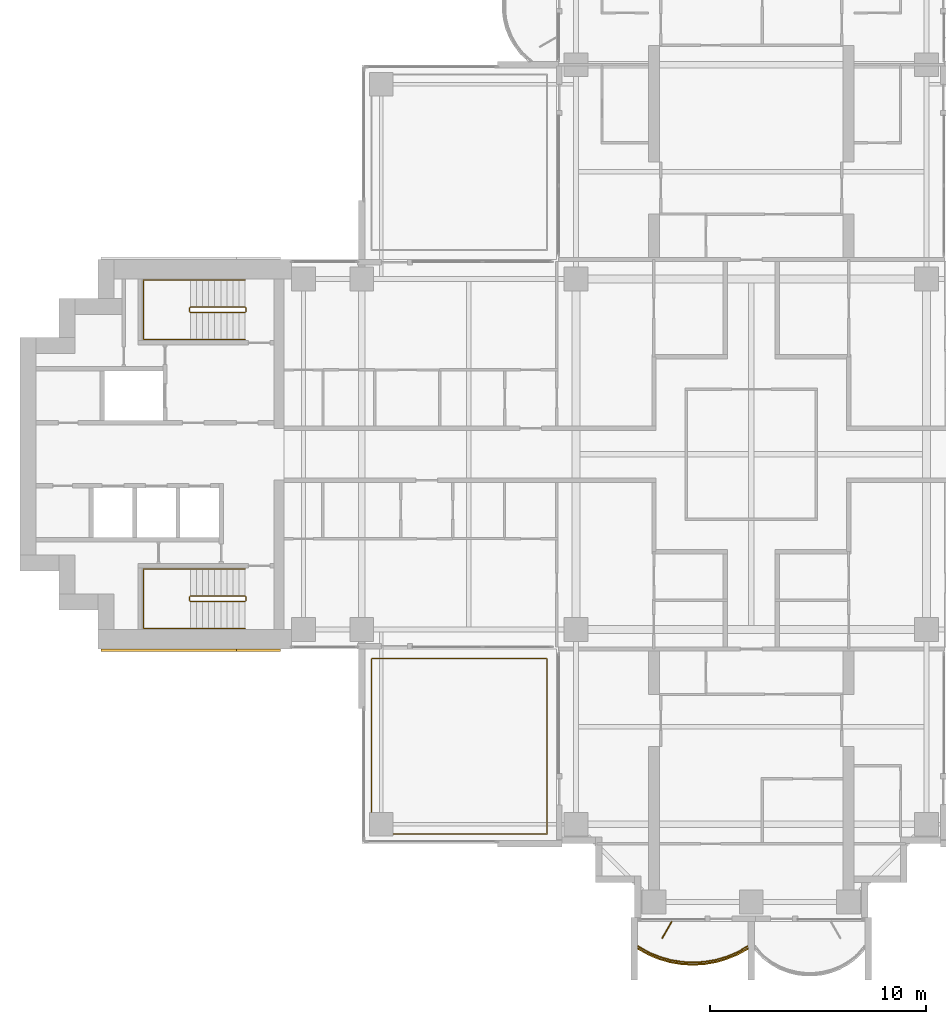
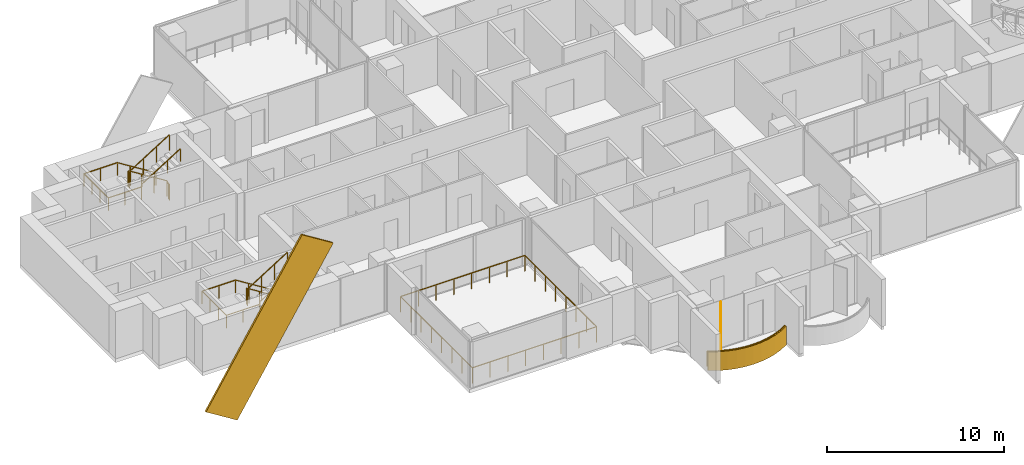
# One storey, part 16 of 19: 6 railings, 2 coverings, 1 shading device.
"""IFC4 building model written with IfcOpenShell, lengths in metres."""

import ifcopenshell
import ifcopenshell.guid

model = None  # the IFC model being written
_history = None  # IfcOwnerHistory: only IFC2X3 demands one
_inside = {}  # id of a spatial element -> (the spatial element, [elements in it])
_under = {}  # id of a project, library or spatial element -> (it, [spatial elements below it])
_declared = {}  # id of a project -> (the project, [libraries it declares])
_typed = {}  # id of a type object -> (the type object, [elements of that type])
_made_of = {}  # id of a material, layer set ... -> (it, [elements and type objects made of it])


def new_model(schema):
    """Start an empty IFC model of exactly this schema.

    Asked for "IFC4X3", IfcOpenShell would pick the latest addendum, in which some entities
    have other attributes; the version numbers below select the first issue.
    IFC2X3 requires an IfcOwnerHistory on every rooted entity: one is made here for all.
    """
    global model, _history
    if schema == "IFC4X3":
        model = ifcopenshell.file(schema_version=(4, 3, 0, 0))
    else:
        model = ifcopenshell.file(schema=schema)
    _inside.clear()
    _under.clear()
    _declared.clear()
    _typed.clear()
    _made_of.clear()
    _history = None
    if model.schema == "IFC2X3":
        org = make("IfcOrganization", Name="unknown")
        user = make(
            "IfcPersonAndOrganization",
            ThePerson=make("IfcPerson", FamilyName="unknown"),
            TheOrganization=org,
        )
        app = make(
            "IfcApplication",
            ApplicationDeveloper=org,
            Version="unknown",
            ApplicationFullName="unknown",
            ApplicationIdentifier="unknown",
        )
        _history = make(
            "IfcOwnerHistory",
            OwningUser=user,
            OwningApplication=app,
            ChangeAction="ADDED",
            CreationDate=0,
        )
    return model


def make(cls, **values):
    """One entity of the class cls with the attributes given. An attribute that is None is left unset."""
    return model.create_entity(
        cls, **{name: value for name, value in values.items() if value is not None}
    )


def rooted(cls, **values):
    """An entity with a GlobalId (a new one), such as an element, a storey or a relation."""
    return make(cls, GlobalId=ifcopenshell.guid.new(), OwnerHistory=_history, **values)


def si_unit(unit_type, name, prefix=None):
    """IfcSIUnit, for example si_unit("LENGTHUNIT", "METRE", prefix="MILLI")."""
    return make("IfcSIUnit", UnitType=unit_type, Prefix=prefix, Name=name)


def assignment(units):
    """IfcUnitAssignment: the units of a project."""
    return None if units is None else make("IfcUnitAssignment", Units=units)


def point(xyz):
    """IfcCartesianPoint."""
    return None if xyz is None else make("IfcCartesianPoint", Coordinates=xyz)


def direction(xyz):
    """IfcDirection."""
    return None if xyz is None else make("IfcDirection", DirectionRatios=xyz)


def frame(location, z_axis=None, x_axis=None):
    """IfcAxis2Placement3D, a coordinate frame: its origin and axes. An axis left out is left unset."""
    return make(
        "IfcAxis2Placement3D",
        Location=point(location),
        Axis=direction(z_axis),
        RefDirection=direction(x_axis),
    )


def frame_2d(location, x_axis=None):
    """IfcAxis2Placement2D, a coordinate frame in the plane: its origin and x axis."""
    return make(
        "IfcAxis2Placement2D", Location=point(location), RefDirection=direction(x_axis)
    )


def origin():
    """The frame at (0, 0, 0) with its axes left unset."""
    return frame((0.0, 0.0, 0.0))


def origin_2d():
    """The frame at (0, 0) in the plane with its x axis left unset."""
    return frame_2d((0.0, 0.0))


def place(relative_to, where):
    """IfcLocalPlacement: puts the frame where relative to a parent placement (None: the world)."""
    return make(
        "IfcLocalPlacement", PlacementRelTo=relative_to, RelativePlacement=where
    )


def context(
    kind, dimensions, precision=None, world=None, true_north=None, identifier=None
):
    """IfcGeometricRepresentationContext, for example the 3D "Model" context."""
    return make(
        "IfcGeometricRepresentationContext",
        ContextIdentifier=identifier,
        ContextType=kind,
        CoordinateSpaceDimension=dimensions,
        Precision=precision,
        WorldCoordinateSystem=world,
        TrueNorth=true_north,
    )


def subcontext(parent, identifier, kind, view, scale=None):
    """IfcGeometricRepresentationSubContext, for example "Body" below "Model"."""
    return make(
        "IfcGeometricRepresentationSubContext",
        ContextIdentifier=identifier,
        ContextType=kind,
        ParentContext=parent,
        TargetScale=scale,
        TargetView=view,
    )


def project(units=None, contexts=None):
    """IfcProject with its units and contexts."""
    return rooted(
        "IfcProject",
        Name="project",
        RepresentationContexts=contexts,
        UnitsInContext=assignment(units),
    )


def spatial(cls, under=None, at=None, **own):
    """A site, building, storey or space (cls), placed at a placement, below another one or the project."""
    s = rooted(cls, ObjectPlacement=at, **own)
    if under is not None:
        _under.setdefault(under.id(), (under, []))[1].append(s)
    return s


def polyline(points):
    """IfcPolyline through the points."""
    return make("IfcPolyline", Points=[point(p) for p in points])


def profile(cls, at=None, kind="AREA", **sizes):
    """A parametric profile (cls). Its sizes go by their IFC names, for example OverallWidth=200.0."""
    return make(cls, ProfileType=kind, Position=at, **sizes)


def rectangle(**sizes):
    """IfcRectangleProfileDef."""
    return profile("IfcRectangleProfileDef", **sizes)


def outline(outer, holes=None, kind="AREA"):
    """IfcArbitraryClosedProfileDef: a profile drawn as a closed curve; with holes, ...WithVoids."""
    if holes is None:
        return make("IfcArbitraryClosedProfileDef", ProfileType=kind, OuterCurve=outer)
    return make(
        "IfcArbitraryProfileDefWithVoids",
        ProfileType=kind,
        OuterCurve=outer,
        InnerCurves=holes,
    )


def extrude(swept, where, along, depth):
    """IfcExtrudedAreaSolid: the profile swept, set in the frame where, extruded along a direction by depth."""
    return make(
        "IfcExtrudedAreaSolid",
        SweptArea=swept,
        Position=where,
        ExtrudedDirection=direction(along),
        Depth=depth,
    )


def shape(context_of_items, identifier, shape_type, items):
    """IfcShapeRepresentation: the items that make up one representation, for example the "Body"."""
    return make(
        "IfcShapeRepresentation",
        ContextOfItems=context_of_items,
        RepresentationIdentifier=identifier,
        RepresentationType=shape_type,
        Items=items,
    )


def material(Name=None, Category=None):
    """IfcMaterial."""
    return make("IfcMaterial", Name=Name, Category=Category)


def layer(
    of_material, thickness, ventilated=None, Name=None, Category=None, Priority=None
):
    """IfcMaterialLayer: one layer of a wall or slab, of a material (None: an air gap)."""
    return make(
        "IfcMaterialLayer",
        Material=of_material,
        LayerThickness=thickness,
        IsVentilated=ventilated,
        Name=Name,
        Category=Category,
        Priority=Priority,
    )


def layer_set(layers, Name=None):
    """IfcMaterialLayerSet."""
    return make("IfcMaterialLayerSet", MaterialLayers=layers, LayerSetName=Name)


def material_profile(
    of_material, cross_section, Name=None, Category=None, Priority=None
):
    """IfcMaterialProfile: a cross section and its material."""
    return make(
        "IfcMaterialProfile",
        Name=Name,
        Material=of_material,
        Profile=cross_section,
        Priority=Priority,
        Category=Category,
    )


def profile_set(profiles, Name=None, composite=None):
    """IfcMaterialProfileSet."""
    return make(
        "IfcMaterialProfileSet",
        Name=Name,
        MaterialProfiles=profiles,
        CompositeProfile=composite,
    )


def made_of(thing, what):
    """Note that an element or type object is made of a material, layer set ...; save() writes the relation."""
    if what is not None:
        _made_of.setdefault(what.id(), (what, []))[1].append(thing)
    return thing


def type_object(cls, material=None, **own):
    """A type object (cls), such as IfcWallType, which elements share."""
    return made_of(rooted(cls, **own), material)


def element(
    cls,
    number,
    at=None,
    inside=None,
    cuts=None,
    type_object=None,
    material=None,
    context=None,
    identifier="Body",
    shape_type=None,
    held_by="IfcProductDefinitionShape",
    body=None,
    shapes=None,
    **own,
):
    """One element of the class cls, such as IfcWall. Its Tag is "e" and its number.

    at: its placement. inside: the storey or other place that contains it. cuts: it is an
    opening in that element (IfcRelVoidsElement). A single representation is given by context,
    identifier, shape_type and body (its items); several are given by shapes. held_by: the class
    of the entity that holds the representations. save() writes the other relations.
    """
    e = rooted(cls, Tag="e%d" % number, ObjectPlacement=at, **own)
    if body is not None:
        shapes = [shape(context, identifier, shape_type, body)]
    if shapes is not None:
        e.Representation = make(held_by, Representations=shapes)
    if inside is not None:
        _inside.setdefault(inside.id(), (inside, []))[1].append(e)
    if cuts is not None:
        rooted(
            "IfcRelVoidsElement", RelatingBuildingElement=cuts, RelatedOpeningElement=e
        )
    if type_object is not None:
        _typed.setdefault(type_object.id(), (type_object, []))[1].append(e)
    return made_of(e, material)


def aggregate(whole, parts):
    """IfcRelAggregates: a whole, such as a stair, and the parts it consists of."""
    return rooted("IfcRelAggregates", RelatingObject=whole, RelatedObjects=parts)


def save(model, path):
    """Write the relations noted so far, then the file.

    IfcRelAggregates (storeys below a building ...), IfcRelContainedInSpatialStructure (elements
    in a storey), IfcRelDefinesByType, IfcRelAssociatesMaterial and IfcRelDeclares: one each for
    every whole, place, type object, material and project.
    """
    for whole, parts in _under.values():
        aggregate(whole, parts)
    for where, things in _inside.values():
        rooted(
            "IfcRelContainedInSpatialStructure",
            RelatedElements=things,
            RelatingStructure=where,
        )
    for kind, things in _typed.values():
        rooted("IfcRelDefinesByType", RelatedObjects=things, RelatingType=kind)
    for what, things in _made_of.values():
        rooted("IfcRelAssociatesMaterial", RelatedObjects=things, RelatingMaterial=what)
    for by, libraries in _declared.values():
        rooted("IfcRelDeclares", RelatingContext=by, RelatedDefinitions=libraries)
    model.write(path)


model = new_model("IFC4")

# Units and contexts
model_context = context("Model", 3, precision=1e-05, world=origin(), true_north=direction((0.0, 1.0)))
body_context = subcontext(model_context, "Body", "Model", "MODEL_VIEW")
ifc_project = project(units=[si_unit("LENGTHUNIT", "METRE"), si_unit("AREAUNIT", "SQUARE_METRE"), si_unit("VOLUMEUNIT", "CUBIC_METRE"), si_unit("PLANEANGLEUNIT", "RADIAN"), si_unit("MASSUNIT", "GRAM", prefix="KILO")], contexts=[model_context])

# Site, building, storey
site_placement = place(None, origin())
site = spatial("IfcSite", under=ifc_project, at=site_placement, CompositionType="ELEMENT")
building_placement = place(site_placement, origin())
building = spatial("IfcBuilding", under=site, at=building_placement, Name="Perihelion Cross Residences", CompositionType="ELEMENT")
storey_placement = place(building_placement, frame((0.0, 0.0, 147.89990234375)))
storey = spatial("IfcBuildingStorey", under=building, at=storey_placement, Name="L36", CompositionType="ELEMENT", Elevation=147.89990234375)

# Covering
ifc_material_1 = material(Name="Bronze anodised aluminium", Category="aluminium")
ifc_layer_1 = layer(ifc_material_1, 0.070068359375)
ifc_layer_set_1 = layer_set([ifc_layer_1], Name="Balcony fascia 1300")
covering_type_1 = type_object("IfcCoveringType", Name="Balcony fascia 1300", PredefinedType="CLADDING", material=ifc_layer_set_1)
covering_1_placement = place(storey_placement, frame((0.0, 0.0, -0.199951171875)))
element("IfcCovering", 1, at=covering_1_placement, inside=storey, type_object=covering_type_1, Name="Fascia BF1 L36 south tip south bay 1", PredefinedType="CLADDING", context=body_context, shape_type="SweptSolid", body=[
    extrude(outline(polyline([(-4.7705078125, -23.1484375), (-4.2529296875, -23.36083984375), (-3.735107421875, -23.506591796875), (-3.217529296875, -23.591796875), (-2.699951171875, -23.6201171875), (-2.182373046875, -23.591796875), (-1.664794921875, -23.506591796875), (-1.147216796875, -23.36083984375), (-0.629638671875, -23.1484375), (-0.14990234375, -22.880126953125), (-0.14990234375, -22.800048828125), (-0.659912109375, -23.085205078125), (-1.169921875, -23.294677734375), (-1.679931640625, -23.438232421875), (-2.18994140625, -23.522216796875), (-2.699951171875, -23.550048828125), (-3.2099609375, -23.522216796875), (-3.719970703125, -23.438232421875), (-4.22998046875, -23.294677734375), (-4.739990234375, -23.085205078125), (-5.25, -22.800048828125), (-5.25, -22.880126953125), (-4.7705078125, -23.1484375)])), origin(), (0.0, 0.0, 1.0), 1.300048828125),
])

# Railings
ifc_material_2 = material(Name="Bronze anodised aluminium", Category="aluminium")
railing_type_1 = type_object("IfcRailingType", Name="Balcony guard 1100", PredefinedType="GUARDRAIL", material=ifc_material_2)
railing_1_placement = place(storey_placement, frame((-5.22509765625, -22.739990234375, 0.0)))
element("IfcRailing", 2, at=railing_1_placement, inside=storey, type_object=railing_type_1, Name="Guard GU1 L36 south tip south bay 1 balcony", PredefinedType="GUARDRAIL", context=body_context, shape_type="SweptSolid", body=[
    extrude(rectangle(XDim=0.048095703125, YDim=0.048095703125, at=origin_2d()), frame((0.0, 0.0, 1.076171875), z_axis=(0.861900760591, -0.507076995033, 0.0), x_axis=(0.507076995033, 0.861900760591, 0.0)), (0.0, 0.0, 1.0), 0.562744140625),
    extrude(rectangle(XDim=0.048095703125, YDim=0.048095703125, at=origin_2d()), frame((0.485107421875, -0.285400390625, 1.076171875), z_axis=(0.925172605972, -0.379546636342, 0.0), x_axis=(0.379546636342, 0.925172605972, 0.0)), (0.0, 0.0, 1.0), 0.55126953125),
    extrude(rectangle(XDim=0.048095703125, YDim=0.048095703125, at=origin_2d()), frame((0.9951171875, -0.49462890625, 1.076171875), z_axis=(0.962594623481, -0.270945734134, 0.0), x_axis=(0.270945734134, 0.962594623481, 0.0)), (0.0, 0.0, 1.0), 0.52978515625),
    extrude(rectangle(XDim=0.048095703125, YDim=0.048095703125, at=origin_2d()), frame((1.505126953125, -0.63818359375, 1.076171875), z_axis=(0.98663538303, -0.162943612803, 0.0), x_axis=(0.162943612803, 0.98663538303, 0.0)), (0.0, 0.0, 1.0), 0.516845703125),
    extrude(rectangle(XDim=0.048095703125, YDim=0.048095703125, at=origin_2d()), frame((2.01513671875, -0.722412109375, 1.076171875), z_axis=(0.998540183677, -0.05401390175, 0.0), x_axis=(0.05401390175, 0.998540183677, 0.0)), (0.0, 0.0, 1.0), 0.5107421875),
    extrude(rectangle(XDim=0.048095703125, YDim=0.048095703125, at=origin_2d()), frame((2.525146484375, -0.75, 1.076171875), z_axis=(0.998540183677, 0.05401390175, 0.0), x_axis=(-0.05401390175, 0.998540183677, 0.0)), (0.0, 0.0, 1.0), 0.5107421875),
    extrude(rectangle(XDim=0.048095703125, YDim=0.048095703125, at=origin_2d()), frame((3.03515625, -0.722412109375, 1.076171875), z_axis=(0.98663538303, 0.162943612803, 0.0), x_axis=(-0.162943612803, 0.98663538303, 0.0)), (0.0, 0.0, 1.0), 0.516845703125),
    extrude(rectangle(XDim=0.048095703125, YDim=0.048095703125, at=origin_2d()), frame((3.545166015625, -0.63818359375, 1.076171875), z_axis=(0.962594623481, 0.270945734134, 0.0), x_axis=(-0.270945734134, 0.962594623481, 0.0)), (0.0, 0.0, 1.0), 0.52978515625),
    extrude(rectangle(XDim=0.048095703125, YDim=0.048095703125, at=origin_2d()), frame((4.05517578125, -0.49462890625, 1.076171875), z_axis=(0.925172605972, 0.379546636342, 0.0), x_axis=(-0.379546636342, 0.925172605972, 0.0)), (0.0, 0.0, 1.0), 0.55126953125),
    extrude(rectangle(XDim=0.048095703125, YDim=0.048095703125, at=origin_2d()), frame((4.565185546875, -0.285400390625, 1.076171875), z_axis=(0.861789164031, 0.507266632806, 0.0), x_axis=(-0.507266632806, 0.861789164031, 0.0)), (0.0, 0.0, 1.0), 0.562744140625),
    extrude(rectangle(XDim=0.0419921875, YDim=0.0419921875, at=origin_2d()), origin(), (0.0, 0.0, 1.0), 1.052001953125),
    extrude(rectangle(XDim=0.0419921875, YDim=0.0419921875, at=origin_2d()), frame((0.485107421875, -0.285400390625, 0.0)), (0.0, 0.0, 1.0), 1.052001953125),
    extrude(rectangle(XDim=0.0419921875, YDim=0.0419921875, at=origin_2d()), frame((0.9951171875, -0.49462890625, 0.0)), (0.0, 0.0, 1.0), 1.052001953125),
    extrude(rectangle(XDim=0.0419921875, YDim=0.0419921875, at=origin_2d()), frame((1.505126953125, -0.63818359375, 0.0)), (0.0, 0.0, 1.0), 1.052001953125),
    extrude(rectangle(XDim=0.0419921875, YDim=0.0419921875, at=origin_2d()), frame((2.01513671875, -0.722412109375, 0.0)), (0.0, 0.0, 1.0), 1.052001953125),
    extrude(rectangle(XDim=0.0419921875, YDim=0.0419921875, at=origin_2d()), frame((2.525146484375, -0.75, 0.0)), (0.0, 0.0, 1.0), 1.052001953125),
    extrude(rectangle(XDim=0.0419921875, YDim=0.0419921875, at=origin_2d()), frame((3.03515625, -0.722412109375, 0.0)), (0.0, 0.0, 1.0), 1.052001953125),
    extrude(rectangle(XDim=0.0419921875, YDim=0.0419921875, at=origin_2d()), frame((3.545166015625, -0.63818359375, 0.0)), (0.0, 0.0, 1.0), 1.052001953125),
    extrude(rectangle(XDim=0.0419921875, YDim=0.0419921875, at=origin_2d()), frame((4.05517578125, -0.49462890625, 0.0)), (0.0, 0.0, 1.0), 1.052001953125),
    extrude(rectangle(XDim=0.0419921875, YDim=0.0419921875, at=origin_2d()), frame((4.565185546875, -0.285400390625, 0.0)), (0.0, 0.0, 1.0), 1.052001953125),
    extrude(rectangle(XDim=0.0419921875, YDim=0.0419921875, at=origin_2d()), frame((5.050048828125, 0.0, 0.0)), (0.0, 0.0, 1.0), 1.052001953125),
])
railing_2_placement = place(storey_placement, frame((-9.449951171875, -17.550048828125, 0.0)))
element("IfcRailing", 3, at=railing_2_placement, inside=storey, type_object=railing_type_1, Name="Guard GU1 L36 pocket south-west 1", PredefinedType="GUARDRAIL", context=body_context, shape_type="SweptSolid", body=[
    extrude(rectangle(XDim=0.048095703125, YDim=0.048095703125, at=origin_2d()), frame((0.0, 0.0, 1.076171875), z_axis=(-1.0, 0.0, 0.0), x_axis=(0.0, -1.0, 0.0)), (0.0, 0.0, 1.0), 8.10009765625),
    extrude(rectangle(XDim=0.048095703125, YDim=0.048095703125, at=origin_2d()), frame((-8.10009765625, 0.0, 1.076171875), z_axis=(0.0, 1.0, 0.0), x_axis=(-1.0, 0.0, 0.0)), (0.0, 0.0, 1.0), 8.10009765625),
    extrude(rectangle(XDim=0.048095703125, YDim=0.048095703125, at=origin_2d()), frame((-8.10009765625, 8.10009765625, 1.076171875), z_axis=(1.0, 0.0, 0.0), x_axis=(0.0, 1.0, 0.0)), (0.0, 0.0, 1.0), 8.10009765625),
    extrude(rectangle(XDim=0.048095703125, YDim=0.048095703125, at=origin_2d()), frame((0.0, 8.10009765625, 1.076171875), z_axis=(0.0, -1.0, 0.0), x_axis=(1.0, 0.0, 0.0)), (0.0, 0.0, 1.0), 8.10009765625),
    extrude(rectangle(XDim=0.0419921875, YDim=0.0419921875, at=origin_2d()), origin(), (0.0, 0.0, 1.0), 1.052001953125),
    extrude(rectangle(XDim=0.0419921875, YDim=0.0419921875, at=origin_2d()), frame((-1.1572265625, 0.0, 0.0)), (0.0, 0.0, 1.0), 1.052001953125),
    extrude(rectangle(XDim=0.0419921875, YDim=0.0419921875, at=origin_2d()), frame((-2.314208984375, 0.0, 0.0)), (0.0, 0.0, 1.0), 1.052001953125),
    extrude(rectangle(XDim=0.0419921875, YDim=0.0419921875, at=origin_2d()), frame((-3.471435546875, 0.0, 0.0)), (0.0, 0.0, 1.0), 1.052001953125),
    extrude(rectangle(XDim=0.0419921875, YDim=0.0419921875, at=origin_2d()), frame((-4.628662109375, 0.0, 0.0)), (0.0, 0.0, 1.0), 1.052001953125),
    extrude(rectangle(XDim=0.0419921875, YDim=0.0419921875, at=origin_2d()), frame((-5.785888671875, 0.0, 0.0)), (0.0, 0.0, 1.0), 1.052001953125),
    extrude(rectangle(XDim=0.0419921875, YDim=0.0419921875, at=origin_2d()), frame((-6.94287109375, 0.0, 0.0)), (0.0, 0.0, 1.0), 1.052001953125),
    extrude(rectangle(XDim=0.0419921875, YDim=0.0419921875, at=origin_2d()), frame((-8.10009765625, 0.0, 0.0)), (0.0, 0.0, 1.0), 1.052001953125),
    extrude(rectangle(XDim=0.0419921875, YDim=0.0419921875, at=origin_2d()), frame((-8.10009765625, 1.1572265625, 0.0)), (0.0, 0.0, 1.0), 1.052001953125),
    extrude(rectangle(XDim=0.0419921875, YDim=0.0419921875, at=origin_2d()), frame((-8.10009765625, 2.314208984375, 0.0)), (0.0, 0.0, 1.0), 1.052001953125),
    extrude(rectangle(XDim=0.0419921875, YDim=0.0419921875, at=origin_2d()), frame((-8.10009765625, 3.471435546875, 0.0)), (0.0, 0.0, 1.0), 1.052001953125),
    extrude(rectangle(XDim=0.0419921875, YDim=0.0419921875, at=origin_2d()), frame((-8.10009765625, 4.628662109375, 0.0)), (0.0, 0.0, 1.0), 1.052001953125),
    extrude(rectangle(XDim=0.0419921875, YDim=0.0419921875, at=origin_2d()), frame((-8.10009765625, 5.785888671875, 0.0)), (0.0, 0.0, 1.0), 1.052001953125),
    extrude(rectangle(XDim=0.0419921875, YDim=0.0419921875, at=origin_2d()), frame((-8.10009765625, 6.94287109375, 0.0)), (0.0, 0.0, 1.0), 1.052001953125),
    extrude(rectangle(XDim=0.0419921875, YDim=0.0419921875, at=origin_2d()), frame((-8.10009765625, 8.10009765625, 0.0)), (0.0, 0.0, 1.0), 1.052001953125),
    extrude(rectangle(XDim=0.0419921875, YDim=0.0419921875, at=origin_2d()), frame((-6.94287109375, 8.10009765625, 0.0)), (0.0, 0.0, 1.0), 1.052001953125),
    extrude(rectangle(XDim=0.0419921875, YDim=0.0419921875, at=origin_2d()), frame((-5.785888671875, 8.10009765625, 0.0)), (0.0, 0.0, 1.0), 1.052001953125),
    extrude(rectangle(XDim=0.0419921875, YDim=0.0419921875, at=origin_2d()), frame((-4.628662109375, 8.10009765625, 0.0)), (0.0, 0.0, 1.0), 1.052001953125),
    extrude(rectangle(XDim=0.0419921875, YDim=0.0419921875, at=origin_2d()), frame((-3.471435546875, 8.10009765625, 0.0)), (0.0, 0.0, 1.0), 1.052001953125),
    extrude(rectangle(XDim=0.0419921875, YDim=0.0419921875, at=origin_2d()), frame((-2.314208984375, 8.10009765625, 0.0)), (0.0, 0.0, 1.0), 1.052001953125),
    extrude(rectangle(XDim=0.0419921875, YDim=0.0419921875, at=origin_2d()), frame((-1.1572265625, 8.10009765625, 0.0)), (0.0, 0.0, 1.0), 1.052001953125),
    extrude(rectangle(XDim=0.0419921875, YDim=0.0419921875, at=origin_2d()), frame((0.0, 8.10009765625, 0.0)), (0.0, 0.0, 1.0), 1.052001953125),
    extrude(rectangle(XDim=0.0419921875, YDim=0.0419921875, at=origin_2d()), frame((0.0, 6.94287109375, 0.0)), (0.0, 0.0, 1.0), 1.052001953125),
    extrude(rectangle(XDim=0.0419921875, YDim=0.0419921875, at=origin_2d()), frame((0.0, 5.785888671875, 0.0)), (0.0, 0.0, 1.0), 1.052001953125),
    extrude(rectangle(XDim=0.0419921875, YDim=0.0419921875, at=origin_2d()), frame((0.0, 4.628662109375, 0.0)), (0.0, 0.0, 1.0), 1.052001953125),
    extrude(rectangle(XDim=0.0419921875, YDim=0.0419921875, at=origin_2d()), frame((0.0, 3.471435546875, 0.0)), (0.0, 0.0, 1.0), 1.052001953125),
    extrude(rectangle(XDim=0.0419921875, YDim=0.0419921875, at=origin_2d()), frame((0.0, 2.314208984375, 0.0)), (0.0, 0.0, 1.0), 1.052001953125),
    extrude(rectangle(XDim=0.0419921875, YDim=0.0419921875, at=origin_2d()), frame((0.0, 1.1572265625, 0.0)), (0.0, 0.0, 1.0), 1.052001953125),
])

# Covering
ifc_material_3 = material(Name="Bronze anodised aluminium", Category="aluminium")
ifc_material_profile = material_profile(ifc_material_3, rectangle(XDim=0.125, YDim=2.39990234375, at=origin_2d()), Name="Bronze cladding band 2400")
ifc_profile_set = profile_set([ifc_material_profile], Name="Bronze anodised aluminium")
covering_type_2 = type_object("IfcCoveringType", Name="Bronze cladding band 2400", PredefinedType="CLADDING", material=ifc_profile_set)
covering_2_placement = place(storey_placement, frame((-29.0322265625, -9.0625, -3.346923828125), z_axis=(0.529915403603, 0.0, 0.848050508534), x_axis=(0.0, 1.0, 0.0)))
element("IfcCovering", 4, at=covering_2_placement, inside=storey, type_object=covering_type_2, Name="Core cladding band, west core", PredefinedType="CLADDING", context=body_context, shape_type="SweptSolid", body=[
    extrude(rectangle(XDim=0.125, YDim=2.39990234375, at=origin_2d()), origin(), (0.0, 0.0, 1.0), 11.822021484375),
])

# Shading device
ifc_material_4 = material(Name="Bronze anodised aluminium", Category="aluminium")
ifc_layer_2 = layer(ifc_material_4, 0.050048828125)
ifc_layer_set_2 = layer_set([ifc_layer_2], Name="Bronze fin 900")
shading_device_type = type_object("IfcShadingDeviceType", Name="Bronze fin 900", PredefinedType="USERDEFINED", material=ifc_layer_set_2)
shading_device_placement = place(storey_placement, frame((-3.89990234375, -21.98974609375, 0.0), z_axis=(0.0, 0.0, 1.0), x_axis=(-0.5, -0.866025403784, 0.0)))
element("IfcShadingDevice", 5, at=shading_device_placement, inside=storey, type_object=shading_device_type, Name="Fin FN1 L36 south tip south bay 1", ObjectType="FIN", PredefinedType="USERDEFINED", context=body_context, shape_type="SweptSolid", body=[
    extrude(rectangle(XDim=0.89990234375, YDim=0.050048828125, at=origin_2d()), origin(), (0.0, 0.0, 1.0), 3.25),
])

# Railings
ifc_material_5 = material(Name="Stainless steel", Category="steel")
railing_type_2 = type_object("IfcRailingType", Name="Stair guard 1100", PredefinedType="GUARDRAIL", material=ifc_material_5)
railing_3_placement = place(storey_placement, frame((-23.35009765625, 6.60009765625, 0.0)))
element("IfcRailing", 6, at=railing_3_placement, inside=storey, type_object=railing_type_2, Name="L36 ST-W1 stair guard 1", PredefinedType="GUARDRAIL", context=body_context, shape_type="SweptSolid", body=[
    extrude(rectangle(XDim=0.048095703125, YDim=0.048095703125, at=origin_2d()), frame((0.0, 0.0, 1.076171875), z_axis=(0.0, 1.0, 0.0), x_axis=(-1.0, 0.0, 0.0)), (0.0, 0.0, 1.0), 0.14990234375),
    extrude(rectangle(XDim=0.048095703125, YDim=0.048095703125, at=origin_2d()), frame((0.0, 0.14990234375, 1.076171875), z_axis=(-0.263862480399, 0.265155923931, 0.927399011991), x_axis=(-0.708833529934, -0.705375805398, 0.0)), (0.0, 0.0, 1.0), 0.188720703125),
    extrude(rectangle(XDim=0.048095703125, YDim=0.048095703125, at=origin_2d()), frame((-0.0498046875, 0.199951171875, 1.2509765625), z_axis=(-0.848007534815, 0.0, 0.529984170421), x_axis=(0.0, -1.0, 0.0)), (0.0, 0.0, 1.0), 2.9716796875),
    extrude(rectangle(XDim=0.048095703125, YDim=0.048095703125, at=origin_2d()), frame((-2.56982421875, 0.199951171875, 2.826171875), z_axis=(-0.707106781187, -0.707106781187, 0.0), x_axis=(0.707106781187, -0.707106781187, 0.0)), (0.0, 0.0, 1.0), 0.07080078125),
    extrude(rectangle(XDim=0.048095703125, YDim=0.048095703125, at=origin_2d()), frame((-2.619873046875, 0.14990234375, 2.826171875), z_axis=(0.0, -1.0, 0.0), x_axis=(1.0, 0.0, 0.0)), (0.0, 0.0, 1.0), 0.14990234375),
    extrude(rectangle(XDim=0.048095703125, YDim=0.048095703125, at=origin_2d()), frame((-2.619873046875, 0.0, 2.826171875), z_axis=(0.265065253269, -0.265065253269, 0.927081885822), x_axis=(0.707106781187, 0.707106781187, 0.0)), (0.0, 0.0, 1.0), 0.188720703125),
    extrude(rectangle(XDim=0.048095703125, YDim=0.048095703125, at=origin_2d()), frame((-2.56982421875, -0.050048828125, 3.0009765625), z_axis=(0.848007534815, 0.0, 0.529984170421), x_axis=(0.0, 1.0, 0.0)), (0.0, 0.0, 1.0), 2.9716796875),
    extrude(rectangle(XDim=0.0419921875, YDim=0.0419921875, at=origin_2d()), origin(), (0.0, 0.0, 1.0), 1.052001953125),
    extrude(rectangle(XDim=0.0419921875, YDim=0.0419921875, at=origin_2d()), frame((0.0, 0.14990234375, 0.0)), (0.0, 0.0, 1.0), 1.052001953125),
    extrude(rectangle(XDim=0.0419921875, YDim=0.0419921875, at=origin_2d()), frame((-0.0498046875, 0.199951171875, 0.175048828125)), (0.0, 0.0, 1.0), 1.052001953125),
    extrude(rectangle(XDim=0.0419921875, YDim=0.0419921875, at=origin_2d()), frame((-0.889892578125, 0.199951171875, 0.699951171875)), (0.0, 0.0, 1.0), 1.052001953125),
    extrude(rectangle(XDim=0.0419921875, YDim=0.0419921875, at=origin_2d()), frame((-1.729736328125, 0.199951171875, 1.22509765625)), (0.0, 0.0, 1.0), 1.052001953125),
    extrude(rectangle(XDim=0.0419921875, YDim=0.0419921875, at=origin_2d()), frame((-2.56982421875, 0.199951171875, 1.75)), (0.0, 0.0, 1.0), 1.052001953125),
    extrude(rectangle(XDim=0.0419921875, YDim=0.0419921875, at=origin_2d()), frame((-2.619873046875, 0.14990234375, 1.75)), (0.0, 0.0, 1.0), 1.052001953125),
    extrude(rectangle(XDim=0.0419921875, YDim=0.0419921875, at=origin_2d()), frame((-2.619873046875, 0.0, 1.75)), (0.0, 0.0, 1.0), 1.052001953125),
    extrude(rectangle(XDim=0.0419921875, YDim=0.0419921875, at=origin_2d()), frame((-2.56982421875, -0.050048828125, 1.925048828125)), (0.0, 0.0, 1.0), 1.052001953125),
    extrude(rectangle(XDim=0.0419921875, YDim=0.0419921875, at=origin_2d()), frame((-1.729736328125, -0.050048828125, 2.449951171875)), (0.0, 0.0, 1.0), 1.052001953125),
    extrude(rectangle(XDim=0.0419921875, YDim=0.0419921875, at=origin_2d()), frame((-0.889892578125, -0.050048828125, 2.97509765625)), (0.0, 0.0, 1.0), 1.052001953125),
    extrude(rectangle(XDim=0.0419921875, YDim=0.0419921875, at=origin_2d()), frame((-0.0498046875, -0.050048828125, 3.5)), (0.0, 0.0, 1.0), 1.052001953125),
])
railing_4_placement = place(storey_placement, frame((-23.35009765625, -6.75, 0.0)))
element("IfcRailing", 7, at=railing_4_placement, inside=storey, type_object=railing_type_2, Name="L36 ST-W2 stair guard 1", PredefinedType="GUARDRAIL", context=body_context, shape_type="SweptSolid", body=[
    extrude(rectangle(XDim=0.048095703125, YDim=0.048095703125, at=origin_2d()), frame((0.0, 0.0, 1.076171875), z_axis=(0.0, 1.0, 0.0), x_axis=(-1.0, 0.0, 0.0)), (0.0, 0.0, 1.0), 0.14990234375),
    extrude(rectangle(XDim=0.048095703125, YDim=0.048095703125, at=origin_2d()), frame((0.0, 0.14990234375, 1.076171875), z_axis=(-0.263862480399, 0.265155923931, 0.927399011991), x_axis=(-0.708833529934, -0.705375805398, 0.0)), (0.0, 0.0, 1.0), 0.188720703125),
    extrude(rectangle(XDim=0.048095703125, YDim=0.048095703125, at=origin_2d()), frame((-0.0498046875, 0.199951171875, 1.2509765625), z_axis=(-0.848007534815, 0.0, 0.529984170421), x_axis=(0.0, -1.0, 0.0)), (0.0, 0.0, 1.0), 2.9716796875),
    extrude(rectangle(XDim=0.048095703125, YDim=0.048095703125, at=origin_2d()), frame((-2.56982421875, 0.199951171875, 2.826171875), z_axis=(-0.707106781187, -0.707106781187, 0.0), x_axis=(0.707106781187, -0.707106781187, 0.0)), (0.0, 0.0, 1.0), 0.07080078125),
    extrude(rectangle(XDim=0.048095703125, YDim=0.048095703125, at=origin_2d()), frame((-2.619873046875, 0.14990234375, 2.826171875), z_axis=(0.0, -1.0, 0.0), x_axis=(1.0, 0.0, 0.0)), (0.0, 0.0, 1.0), 0.14990234375),
    extrude(rectangle(XDim=0.048095703125, YDim=0.048095703125, at=origin_2d()), frame((-2.619873046875, 0.0, 2.826171875), z_axis=(0.265065253269, -0.265065253269, 0.927081885822), x_axis=(0.707106781187, 0.707106781187, 0.0)), (0.0, 0.0, 1.0), 0.188720703125),
    extrude(rectangle(XDim=0.048095703125, YDim=0.048095703125, at=origin_2d()), frame((-2.56982421875, -0.050048828125, 3.0009765625), z_axis=(0.848007534815, 0.0, 0.529984170421), x_axis=(0.0, 1.0, 0.0)), (0.0, 0.0, 1.0), 2.9716796875),
    extrude(rectangle(XDim=0.0419921875, YDim=0.0419921875, at=origin_2d()), origin(), (0.0, 0.0, 1.0), 1.052001953125),
    extrude(rectangle(XDim=0.0419921875, YDim=0.0419921875, at=origin_2d()), frame((0.0, 0.14990234375, 0.0)), (0.0, 0.0, 1.0), 1.052001953125),
    extrude(rectangle(XDim=0.0419921875, YDim=0.0419921875, at=origin_2d()), frame((-0.0498046875, 0.199951171875, 0.175048828125)), (0.0, 0.0, 1.0), 1.052001953125),
    extrude(rectangle(XDim=0.0419921875, YDim=0.0419921875, at=origin_2d()), frame((-0.889892578125, 0.199951171875, 0.699951171875)), (0.0, 0.0, 1.0), 1.052001953125),
    extrude(rectangle(XDim=0.0419921875, YDim=0.0419921875, at=origin_2d()), frame((-1.729736328125, 0.199951171875, 1.22509765625)), (0.0, 0.0, 1.0), 1.052001953125),
    extrude(rectangle(XDim=0.0419921875, YDim=0.0419921875, at=origin_2d()), frame((-2.56982421875, 0.199951171875, 1.75)), (0.0, 0.0, 1.0), 1.052001953125),
    extrude(rectangle(XDim=0.0419921875, YDim=0.0419921875, at=origin_2d()), frame((-2.619873046875, 0.14990234375, 1.75)), (0.0, 0.0, 1.0), 1.052001953125),
    extrude(rectangle(XDim=0.0419921875, YDim=0.0419921875, at=origin_2d()), frame((-2.619873046875, 0.0, 1.75)), (0.0, 0.0, 1.0), 1.052001953125),
    extrude(rectangle(XDim=0.0419921875, YDim=0.0419921875, at=origin_2d()), frame((-2.56982421875, -0.050048828125, 1.925048828125)), (0.0, 0.0, 1.0), 1.052001953125),
    extrude(rectangle(XDim=0.0419921875, YDim=0.0419921875, at=origin_2d()), frame((-1.729736328125, -0.050048828125, 2.449951171875)), (0.0, 0.0, 1.0), 1.052001953125),
    extrude(rectangle(XDim=0.0419921875, YDim=0.0419921875, at=origin_2d()), frame((-0.889892578125, -0.050048828125, 2.97509765625)), (0.0, 0.0, 1.0), 1.052001953125),
    extrude(rectangle(XDim=0.0419921875, YDim=0.0419921875, at=origin_2d()), frame((-0.0498046875, -0.050048828125, 3.5)), (0.0, 0.0, 1.0), 1.052001953125),
])
ifc_material_6 = material(Name="Stainless steel", Category="steel")
railing_type_3 = type_object("IfcRailingType", Name="Stair handrail 900", PredefinedType="HANDRAIL", material=ifc_material_6)
railing_5_placement = place(storey_placement, frame((-23.39990234375, 8.050048828125, 0.175048828125)))
element("IfcRailing", 8, at=railing_5_placement, inside=storey, type_object=railing_type_3, Name="L36 ST-W1 stair handrail 1", PredefinedType="HANDRAIL", context=body_context, shape_type="SweptSolid", body=[
    extrude(rectangle(XDim=0.048095703125, YDim=0.048095703125, at=origin_2d()), frame((0.0, 0.0, 0.8759765625), z_axis=(-0.848007534815, 0.0, 0.529984170421), x_axis=(0.0, -1.0, 0.0)), (0.0, 0.0, 1.0), 2.9716796875),
    extrude(rectangle(XDim=0.048095703125, YDim=0.048095703125, at=origin_2d()), frame((-2.52001953125, 0.0, 2.45068359375), z_axis=(-1.0, 0.0, 0.0), x_axis=(0.0, -1.0, 0.0)), (0.0, 0.0, 1.0), 2.18017578125),
    extrude(rectangle(XDim=0.048095703125, YDim=0.048095703125, at=origin_2d()), frame((-4.7001953125, 0.0, 2.45068359375), z_axis=(0.0, -1.0, 0.0), x_axis=(1.0, 0.0, 0.0)), (0.0, 0.0, 1.0), 2.75),
    extrude(rectangle(XDim=0.048095703125, YDim=0.048095703125, at=origin_2d()), frame((-4.7001953125, -2.75, 2.45068359375), z_axis=(1.0, 0.0, 0.0), x_axis=(0.0, 1.0, 0.0)), (0.0, 0.0, 1.0), 2.18017578125),
    extrude(rectangle(XDim=0.048095703125, YDim=0.048095703125, at=origin_2d()), frame((-2.52001953125, -2.75, 2.45068359375), z_axis=(0.0, 0.0, 1.0), x_axis=(1.0, 0.0, 0.0)), (0.0, 0.0, 1.0), 0.175048828125),
    extrude(rectangle(XDim=0.048095703125, YDim=0.048095703125, at=origin_2d()), frame((-2.52001953125, -2.75, 2.6259765625), z_axis=(0.848007534815, 0.0, 0.529984170421), x_axis=(0.0, 1.0, 0.0)), (0.0, 0.0, 1.0), 2.9716796875),
    extrude(rectangle(XDim=0.0419921875, YDim=0.0419921875, at=origin_2d()), origin(), (0.0, 0.0, 1.0), 0.851806640625),
    extrude(rectangle(XDim=0.0419921875, YDim=0.0419921875, at=origin_2d()), frame((-0.840087890625, 0.0, 0.52490234375)), (0.0, 0.0, 1.0), 0.851806640625),
    extrude(rectangle(XDim=0.0419921875, YDim=0.0419921875, at=origin_2d()), frame((-1.679931640625, 0.0, 1.050048828125)), (0.0, 0.0, 1.0), 0.851806640625),
    extrude(rectangle(XDim=0.0419921875, YDim=0.0419921875, at=origin_2d()), frame((-2.52001953125, 0.0, 1.574951171875)), (0.0, 0.0, 1.0), 0.851806640625),
    extrude(rectangle(XDim=0.0419921875, YDim=0.0419921875, at=origin_2d()), frame((-3.610107421875, 0.0, 1.574951171875)), (0.0, 0.0, 1.0), 0.851806640625),
    extrude(rectangle(XDim=0.0419921875, YDim=0.0419921875, at=origin_2d()), frame((-4.7001953125, 0.0, 1.574951171875)), (0.0, 0.0, 1.0), 0.851806640625),
    extrude(rectangle(XDim=0.0419921875, YDim=0.0419921875, at=origin_2d()), frame((-4.7001953125, -0.916748046875, 1.574951171875)), (0.0, 0.0, 1.0), 0.851806640625),
    extrude(rectangle(XDim=0.0419921875, YDim=0.0419921875, at=origin_2d()), frame((-4.7001953125, -1.833251953125, 1.574951171875)), (0.0, 0.0, 1.0), 0.851806640625),
    extrude(rectangle(XDim=0.0419921875, YDim=0.0419921875, at=origin_2d()), frame((-4.7001953125, -2.75, 1.574951171875)), (0.0, 0.0, 1.0), 0.851806640625),
    extrude(rectangle(XDim=0.0419921875, YDim=0.0419921875, at=origin_2d()), frame((-3.610107421875, -2.75, 1.574951171875)), (0.0, 0.0, 1.0), 0.851806640625),
    extrude(rectangle(XDim=0.0419921875, YDim=0.0419921875, at=origin_2d()), frame((-2.52001953125, -2.75, 1.574951171875)), (0.0, 0.0, 1.0), 0.851806640625),
    extrude(rectangle(XDim=0.0419921875, YDim=0.0419921875, at=origin_2d()), frame((-2.52001953125, -2.75, 1.75)), (0.0, 0.0, 1.0), 0.851806640625),
    extrude(rectangle(XDim=0.0419921875, YDim=0.0419921875, at=origin_2d()), frame((-1.679931640625, -2.75, 2.27490234375)), (0.0, 0.0, 1.0), 0.851806640625),
    extrude(rectangle(XDim=0.0419921875, YDim=0.0419921875, at=origin_2d()), frame((-0.840087890625, -2.75, 2.800048828125)), (0.0, 0.0, 1.0), 0.851806640625),
    extrude(rectangle(XDim=0.0419921875, YDim=0.0419921875, at=origin_2d()), frame((0.0, -2.75, 3.324951171875)), (0.0, 0.0, 1.0), 0.851806640625),
])
railing_6_placement = place(storey_placement, frame((-23.39990234375, -5.300048828125, 0.175048828125)))
element("IfcRailing", 9, at=railing_6_placement, inside=storey, type_object=railing_type_3, Name="L36 ST-W2 stair handrail 1", PredefinedType="HANDRAIL", context=body_context, shape_type="SweptSolid", body=[
    extrude(rectangle(XDim=0.048095703125, YDim=0.048095703125, at=origin_2d()), frame((0.0, 0.0, 0.8759765625), z_axis=(-0.848007534815, 0.0, 0.529984170421), x_axis=(0.0, -1.0, 0.0)), (0.0, 0.0, 1.0), 2.9716796875),
    extrude(rectangle(XDim=0.048095703125, YDim=0.048095703125, at=origin_2d()), frame((-2.52001953125, 0.0, 2.45068359375), z_axis=(-1.0, 0.0, 0.0), x_axis=(0.0, -1.0, 0.0)), (0.0, 0.0, 1.0), 2.18017578125),
    extrude(rectangle(XDim=0.048095703125, YDim=0.048095703125, at=origin_2d()), frame((-4.7001953125, 0.0, 2.45068359375), z_axis=(0.0, -1.0, 0.0), x_axis=(1.0, 0.0, 0.0)), (0.0, 0.0, 1.0), 2.75),
    extrude(rectangle(XDim=0.048095703125, YDim=0.048095703125, at=origin_2d()), frame((-4.7001953125, -2.75, 2.45068359375), z_axis=(1.0, 0.0, 0.0), x_axis=(0.0, 1.0, 0.0)), (0.0, 0.0, 1.0), 2.18017578125),
    extrude(rectangle(XDim=0.048095703125, YDim=0.048095703125, at=origin_2d()), frame((-2.52001953125, -2.75, 2.45068359375), z_axis=(0.0, 0.0, 1.0), x_axis=(1.0, 0.0, 0.0)), (0.0, 0.0, 1.0), 0.175048828125),
    extrude(rectangle(XDim=0.048095703125, YDim=0.048095703125, at=origin_2d()), frame((-2.52001953125, -2.75, 2.6259765625), z_axis=(0.848007534815, 0.0, 0.529984170421), x_axis=(0.0, 1.0, 0.0)), (0.0, 0.0, 1.0), 2.9716796875),
    extrude(rectangle(XDim=0.0419921875, YDim=0.0419921875, at=origin_2d()), origin(), (0.0, 0.0, 1.0), 0.851806640625),
    extrude(rectangle(XDim=0.0419921875, YDim=0.0419921875, at=origin_2d()), frame((-0.840087890625, 0.0, 0.52490234375)), (0.0, 0.0, 1.0), 0.851806640625),
    extrude(rectangle(XDim=0.0419921875, YDim=0.0419921875, at=origin_2d()), frame((-1.679931640625, 0.0, 1.050048828125)), (0.0, 0.0, 1.0), 0.851806640625),
    extrude(rectangle(XDim=0.0419921875, YDim=0.0419921875, at=origin_2d()), frame((-2.52001953125, 0.0, 1.574951171875)), (0.0, 0.0, 1.0), 0.851806640625),
    extrude(rectangle(XDim=0.0419921875, YDim=0.0419921875, at=origin_2d()), frame((-3.610107421875, 0.0, 1.574951171875)), (0.0, 0.0, 1.0), 0.851806640625),
    extrude(rectangle(XDim=0.0419921875, YDim=0.0419921875, at=origin_2d()), frame((-4.7001953125, 0.0, 1.574951171875)), (0.0, 0.0, 1.0), 0.851806640625),
    extrude(rectangle(XDim=0.0419921875, YDim=0.0419921875, at=origin_2d()), frame((-4.7001953125, -0.916748046875, 1.574951171875)), (0.0, 0.0, 1.0), 0.851806640625),
    extrude(rectangle(XDim=0.0419921875, YDim=0.0419921875, at=origin_2d()), frame((-4.7001953125, -1.833251953125, 1.574951171875)), (0.0, 0.0, 1.0), 0.851806640625),
    extrude(rectangle(XDim=0.0419921875, YDim=0.0419921875, at=origin_2d()), frame((-4.7001953125, -2.75, 1.574951171875)), (0.0, 0.0, 1.0), 0.851806640625),
    extrude(rectangle(XDim=0.0419921875, YDim=0.0419921875, at=origin_2d()), frame((-3.610107421875, -2.75, 1.574951171875)), (0.0, 0.0, 1.0), 0.851806640625),
    extrude(rectangle(XDim=0.0419921875, YDim=0.0419921875, at=origin_2d()), frame((-2.52001953125, -2.75, 1.574951171875)), (0.0, 0.0, 1.0), 0.851806640625),
    extrude(rectangle(XDim=0.0419921875, YDim=0.0419921875, at=origin_2d()), frame((-2.52001953125, -2.75, 1.75)), (0.0, 0.0, 1.0), 0.851806640625),
    extrude(rectangle(XDim=0.0419921875, YDim=0.0419921875, at=origin_2d()), frame((-1.679931640625, -2.75, 2.27490234375)), (0.0, 0.0, 1.0), 0.851806640625),
    extrude(rectangle(XDim=0.0419921875, YDim=0.0419921875, at=origin_2d()), frame((-0.840087890625, -2.75, 2.800048828125)), (0.0, 0.0, 1.0), 0.851806640625),
    extrude(rectangle(XDim=0.0419921875, YDim=0.0419921875, at=origin_2d()), frame((0.0, -2.75, 3.324951171875)), (0.0, 0.0, 1.0), 0.851806640625),
])

save(model, "model.ifc")
